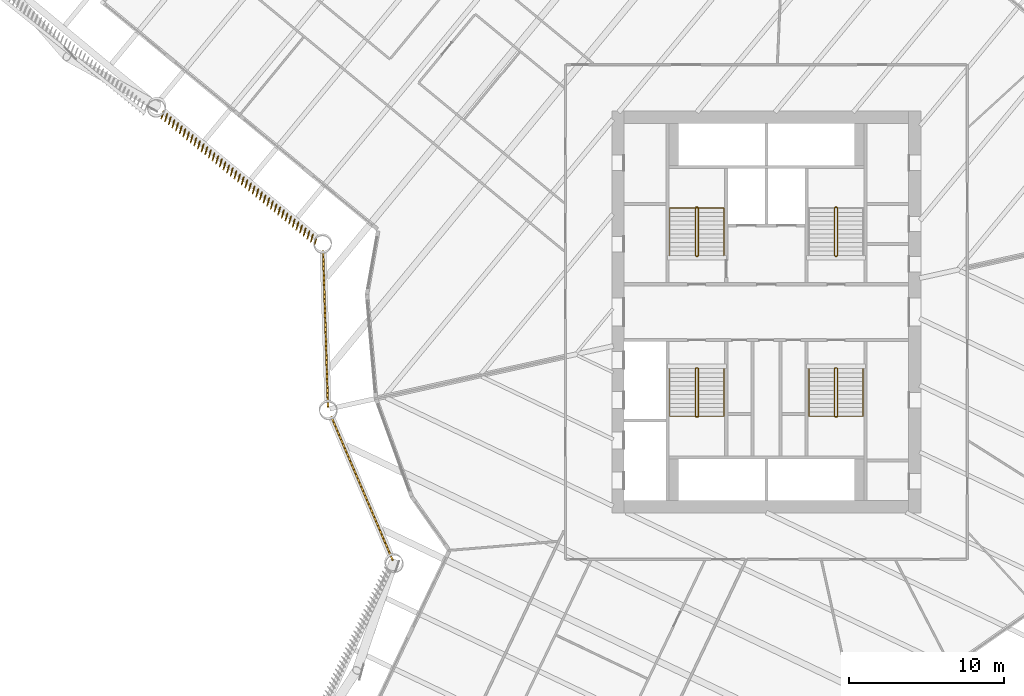
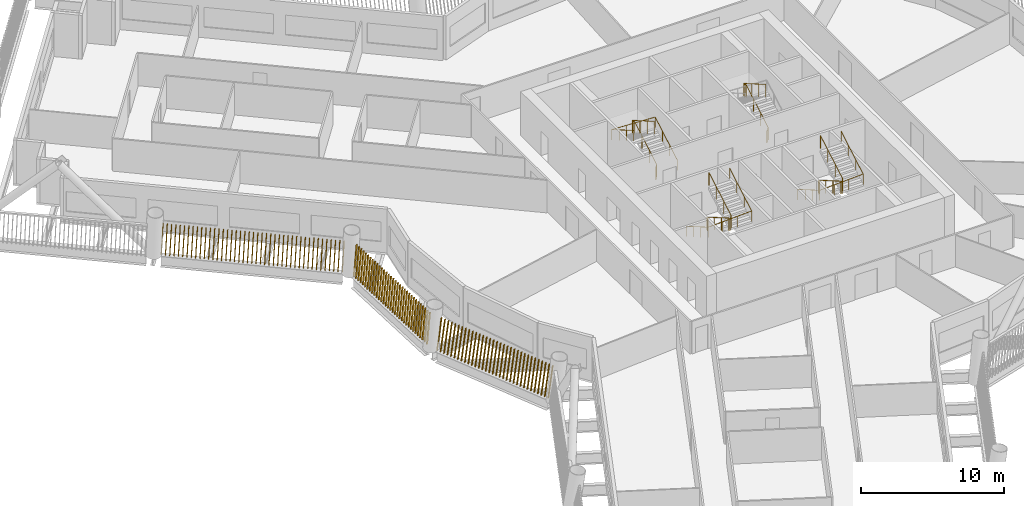
# One storey, part 18 of 22: 7 railings, 3 shading devices.
"""IFC4 building model written with IfcOpenShell, lengths in metres."""

from ifc_helpers import new_model, si_unit, direction, frame, frame_2d, origin, origin_2d, place, context, subcontext, project, spatial, rectangle, circle, composite_profile, extrude, material, type_object, element, save


model = new_model("IFC4")

# Units and contexts
model_context = context("Model", 3, precision=1e-05, world=origin(), true_north=direction((0.0, 1.0)))
body_context = subcontext(model_context, "Body", "Model", "MODEL_VIEW")
ifc_project = project(units=[si_unit("LENGTHUNIT", "METRE"), si_unit("AREAUNIT", "SQUARE_METRE"), si_unit("VOLUMEUNIT", "CUBIC_METRE"), si_unit("PLANEANGLEUNIT", "RADIAN"), si_unit("MASSUNIT", "GRAM", prefix="KILO")], contexts=[model_context])

# Site, building, storey
site_placement = place(None, origin())
site = spatial("IfcSite", under=ifc_project, at=site_placement, CompositionType="ELEMENT")
building_placement = place(site_placement, origin())
building = spatial("IfcBuilding", under=site, at=building_placement, Name="Tarsis Ring Headquarters", CompositionType="ELEMENT")
storey_placement = place(building_placement, frame((0.0, 0.0, 108.39990234375)))
storey = spatial("IfcBuildingStorey", under=building, at=storey_placement, Name="L24", CompositionType="ELEMENT", Elevation=108.39990234375)

# Railings
ifc_material_1 = material(Name="Steel S355", Category="steel")
railing_type_1 = type_object("IfcRailingType", Name="Core stair guard 1100", PredefinedType="GUARDRAIL", material=ifc_material_1)
railing_1_placement = place(storey_placement, frame((-4.5400390625, 3.610107421875, 0.0)))
element("IfcRailing", 1, at=railing_1_placement, inside=storey, type_object=railing_type_1, Name="L24 ST1 stair guard 1", PredefinedType="GUARDRAIL", context=body_context, shape_type="SweptSolid", body=[
    extrude(circle(Radius=0.02392578125, at=origin_2d()), frame((0.0, 0.0, 1.076171875), z_axis=(1.0, 0.0, 0.0), x_axis=(0.0, 1.0, 0.0)), (0.0, 0.0, 1.0), 0.080078125),
    extrude(circle(Radius=0.02392578125, at=origin_2d()), frame((0.080078125, 0.0, 1.076171875), z_axis=(0.282336740067, 0.280959487676, 0.917250092119), x_axis=(-0.705375805398, 0.708833529934, 0.0)), (0.0, 0.0, 1.0), 0.17724609375),
    extrude(circle(Radius=0.02392578125, at=origin_2d()), frame((0.130126953125, 0.0498046875, 1.23876953125), z_axis=(0.0, 0.864890721111, 0.501960198159), x_axis=(-1.0, 0.0, 0.0)), (0.0, 0.0, 1.0), 3.561279296875),
    extrude(circle(Radius=0.02392578125, at=origin_2d()), frame((0.130126953125, 3.1298828125, 3.0263671875), z_axis=(-0.707106781187, 0.707106781187, 0.0), x_axis=(-0.707106781187, -0.707106781187, 0.0)), (0.0, 0.0, 1.0), 0.07080078125),
    extrude(circle(Radius=0.02392578125, at=origin_2d()), frame((0.080078125, 3.179931640625, 3.0263671875), z_axis=(-1.0, 0.0, 0.0), x_axis=(0.0, -1.0, 0.0)), (0.0, 0.0, 1.0), 0.080078125),
    extrude(circle(Radius=0.02392578125, at=origin_2d()), frame((0.0, 3.179931640625, 3.0263671875), z_axis=(-0.282583949758, -0.282583949758, 0.916674763849), x_axis=(0.707106781187, -0.707106781187, 0.0)), (0.0, 0.0, 1.0), 0.177001953125),
    extrude(circle(Radius=0.02392578125, at=origin_2d()), frame((-0.050048828125, 3.1298828125, 3.1884765625), z_axis=(0.0, -0.864890721111, 0.501960198159), x_axis=(1.0, 0.0, 0.0)), (0.0, 0.0, 1.0), 3.561279296875),
    extrude(circle(Radius=0.02099609375, at=origin_2d()), origin(), (0.0, 0.0, 1.0), 1.052001953125),
    extrude(circle(Radius=0.02099609375, at=origin_2d()), frame((0.080078125, 0.0, 0.0)), (0.0, 0.0, 1.0), 1.052001953125),
    extrude(circle(Radius=0.02099609375, at=origin_2d()), frame((0.130126953125, 0.0498046875, 0.16259765625)), (0.0, 0.0, 1.0), 1.052001953125),
    extrude(circle(Radius=0.02099609375, at=origin_2d()), frame((0.130126953125, 1.076416015625, 0.758544921875)), (0.0, 0.0, 1.0), 1.052001953125),
    extrude(circle(Radius=0.02099609375, at=origin_2d()), frame((0.130126953125, 2.103271484375, 1.354248046875)), (0.0, 0.0, 1.0), 1.052001953125),
    extrude(circle(Radius=0.02099609375, at=origin_2d()), frame((0.130126953125, 3.1298828125, 1.9501953125)), (0.0, 0.0, 1.0), 1.052001953125),
    extrude(circle(Radius=0.02099609375, at=origin_2d()), frame((0.080078125, 3.179931640625, 1.9501953125)), (0.0, 0.0, 1.0), 1.052001953125),
    extrude(circle(Radius=0.02099609375, at=origin_2d()), frame((0.0, 3.179931640625, 1.9501953125)), (0.0, 0.0, 1.0), 1.052001953125),
    extrude(circle(Radius=0.02099609375, at=origin_2d()), frame((-0.050048828125, 3.1298828125, 2.112548828125)), (0.0, 0.0, 1.0), 1.052001953125),
    extrude(circle(Radius=0.02099609375, at=origin_2d()), frame((-0.050048828125, 2.103271484375, 2.70849609375)), (0.0, 0.0, 1.0), 1.052001953125),
    extrude(circle(Radius=0.02099609375, at=origin_2d()), frame((-0.050048828125, 1.076416015625, 3.30419921875)), (0.0, 0.0, 1.0), 1.052001953125),
    extrude(circle(Radius=0.02099609375, at=origin_2d()), frame((-0.050048828125, 0.0498046875, 3.900146484375)), (0.0, 0.0, 1.0), 1.052001953125),
])
railing_2_placement = place(storey_placement, frame((4.4599609375, 3.610107421875, 0.0)))
element("IfcRailing", 2, at=railing_2_placement, inside=storey, type_object=railing_type_1, Name="L24 ST2 stair guard 1", PredefinedType="GUARDRAIL", context=body_context, shape_type="SweptSolid", body=[
    extrude(circle(Radius=0.02392578125, at=origin_2d()), frame((0.0, 0.0, 1.076171875), z_axis=(1.0, 0.0, 0.0), x_axis=(0.0, 1.0, 0.0)), (0.0, 0.0, 1.0), 0.080078125),
    extrude(circle(Radius=0.02392578125, at=origin_2d()), frame((0.080078125, 0.0, 1.076171875), z_axis=(0.282336740067, 0.280959487676, 0.917250092119), x_axis=(-0.705375805398, 0.708833529934, 0.0)), (0.0, 0.0, 1.0), 0.17724609375),
    extrude(circle(Radius=0.02392578125, at=origin_2d()), frame((0.130126953125, 0.0498046875, 1.23876953125), z_axis=(0.0, 0.864890721111, 0.501960198159), x_axis=(-1.0, 0.0, 0.0)), (0.0, 0.0, 1.0), 3.561279296875),
    extrude(circle(Radius=0.02392578125, at=origin_2d()), frame((0.130126953125, 3.1298828125, 3.0263671875), z_axis=(-0.707106781187, 0.707106781187, 0.0), x_axis=(-0.707106781187, -0.707106781187, 0.0)), (0.0, 0.0, 1.0), 0.07080078125),
    extrude(circle(Radius=0.02392578125, at=origin_2d()), frame((0.080078125, 3.179931640625, 3.0263671875), z_axis=(-1.0, 0.0, 0.0), x_axis=(0.0, -1.0, 0.0)), (0.0, 0.0, 1.0), 0.080078125),
    extrude(circle(Radius=0.02392578125, at=origin_2d()), frame((0.0, 3.179931640625, 3.0263671875), z_axis=(-0.282583949758, -0.282583949758, 0.916674763849), x_axis=(0.707106781187, -0.707106781187, 0.0)), (0.0, 0.0, 1.0), 0.177001953125),
    extrude(circle(Radius=0.02392578125, at=origin_2d()), frame((-0.050048828125, 3.1298828125, 3.1884765625), z_axis=(0.0, -0.864890721111, 0.501960198159), x_axis=(1.0, 0.0, 0.0)), (0.0, 0.0, 1.0), 3.561279296875),
    extrude(circle(Radius=0.02099609375, at=origin_2d()), origin(), (0.0, 0.0, 1.0), 1.052001953125),
    extrude(circle(Radius=0.02099609375, at=origin_2d()), frame((0.080078125, 0.0, 0.0)), (0.0, 0.0, 1.0), 1.052001953125),
    extrude(circle(Radius=0.02099609375, at=origin_2d()), frame((0.130126953125, 0.0498046875, 0.16259765625)), (0.0, 0.0, 1.0), 1.052001953125),
    extrude(circle(Radius=0.02099609375, at=origin_2d()), frame((0.130126953125, 1.076416015625, 0.758544921875)), (0.0, 0.0, 1.0), 1.052001953125),
    extrude(circle(Radius=0.02099609375, at=origin_2d()), frame((0.130126953125, 2.103271484375, 1.354248046875)), (0.0, 0.0, 1.0), 1.052001953125),
    extrude(circle(Radius=0.02099609375, at=origin_2d()), frame((0.130126953125, 3.1298828125, 1.9501953125)), (0.0, 0.0, 1.0), 1.052001953125),
    extrude(circle(Radius=0.02099609375, at=origin_2d()), frame((0.080078125, 3.179931640625, 1.9501953125)), (0.0, 0.0, 1.0), 1.052001953125),
    extrude(circle(Radius=0.02099609375, at=origin_2d()), frame((0.0, 3.179931640625, 1.9501953125)), (0.0, 0.0, 1.0), 1.052001953125),
    extrude(circle(Radius=0.02099609375, at=origin_2d()), frame((-0.050048828125, 3.1298828125, 2.112548828125)), (0.0, 0.0, 1.0), 1.052001953125),
    extrude(circle(Radius=0.02099609375, at=origin_2d()), frame((-0.050048828125, 2.103271484375, 2.70849609375)), (0.0, 0.0, 1.0), 1.052001953125),
    extrude(circle(Radius=0.02099609375, at=origin_2d()), frame((-0.050048828125, 1.076416015625, 3.30419921875)), (0.0, 0.0, 1.0), 1.052001953125),
    extrude(circle(Radius=0.02099609375, at=origin_2d()), frame((-0.050048828125, 0.0498046875, 3.900146484375)), (0.0, 0.0, 1.0), 1.052001953125),
])
railing_3_placement = place(storey_placement, frame((-4.4599609375, -3.610107421875, 0.0)))
element("IfcRailing", 3, at=railing_3_placement, inside=storey, type_object=railing_type_1, Name="L24 ST3 stair guard 1", PredefinedType="GUARDRAIL", context=body_context, shape_type="SweptSolid", body=[
    extrude(circle(Radius=0.02392578125, at=origin_2d()), frame((0.0, 0.0, 1.076171875), z_axis=(-1.0, 0.0, 0.0), x_axis=(0.0, -1.0, 0.0)), (0.0, 0.0, 1.0), 0.080078125),
    extrude(circle(Radius=0.02392578125, at=origin_2d()), frame((-0.080078125, 0.0, 1.076171875), z_axis=(-0.282336740067, -0.280959487676, 0.917250092119), x_axis=(0.705375805398, -0.708833529934, 0.0)), (0.0, 0.0, 1.0), 0.17724609375),
    extrude(circle(Radius=0.02392578125, at=origin_2d()), frame((-0.130126953125, -0.0498046875, 1.23876953125), z_axis=(0.0, -0.864890721111, 0.501960198159), x_axis=(1.0, 0.0, 0.0)), (0.0, 0.0, 1.0), 3.561279296875),
    extrude(circle(Radius=0.02392578125, at=origin_2d()), frame((-0.130126953125, -3.1298828125, 3.0263671875), z_axis=(0.707106781187, -0.707106781187, 0.0), x_axis=(0.707106781187, 0.707106781187, 0.0)), (0.0, 0.0, 1.0), 0.07080078125),
    extrude(circle(Radius=0.02392578125, at=origin_2d()), frame((-0.080078125, -3.179931640625, 3.0263671875), z_axis=(1.0, 0.0, 0.0), x_axis=(0.0, 1.0, 0.0)), (0.0, 0.0, 1.0), 0.080078125),
    extrude(circle(Radius=0.02392578125, at=origin_2d()), frame((0.0, -3.179931640625, 3.0263671875), z_axis=(0.282583949758, 0.282583949758, 0.916674763849), x_axis=(-0.707106781187, 0.707106781187, 0.0)), (0.0, 0.0, 1.0), 0.177001953125),
    extrude(circle(Radius=0.02392578125, at=origin_2d()), frame((0.050048828125, -3.1298828125, 3.1884765625), z_axis=(0.0, 0.864890721111, 0.501960198159), x_axis=(-1.0, 0.0, 0.0)), (0.0, 0.0, 1.0), 3.561279296875),
    extrude(circle(Radius=0.02099609375, at=origin_2d()), origin(), (0.0, 0.0, 1.0), 1.052001953125),
    extrude(circle(Radius=0.02099609375, at=origin_2d()), frame((-0.080078125, 0.0, 0.0)), (0.0, 0.0, 1.0), 1.052001953125),
    extrude(circle(Radius=0.02099609375, at=origin_2d()), frame((-0.130126953125, -0.0498046875, 0.16259765625)), (0.0, 0.0, 1.0), 1.052001953125),
    extrude(circle(Radius=0.02099609375, at=origin_2d()), frame((-0.130126953125, -1.076416015625, 0.758544921875)), (0.0, 0.0, 1.0), 1.052001953125),
    extrude(circle(Radius=0.02099609375, at=origin_2d()), frame((-0.130126953125, -2.103271484375, 1.354248046875)), (0.0, 0.0, 1.0), 1.052001953125),
    extrude(circle(Radius=0.02099609375, at=origin_2d()), frame((-0.130126953125, -3.1298828125, 1.9501953125)), (0.0, 0.0, 1.0), 1.052001953125),
    extrude(circle(Radius=0.02099609375, at=origin_2d()), frame((-0.080078125, -3.179931640625, 1.9501953125)), (0.0, 0.0, 1.0), 1.052001953125),
    extrude(circle(Radius=0.02099609375, at=origin_2d()), frame((0.0, -3.179931640625, 1.9501953125)), (0.0, 0.0, 1.0), 1.052001953125),
    extrude(circle(Radius=0.02099609375, at=origin_2d()), frame((0.050048828125, -3.1298828125, 2.112548828125)), (0.0, 0.0, 1.0), 1.052001953125),
    extrude(circle(Radius=0.02099609375, at=origin_2d()), frame((0.050048828125, -2.103271484375, 2.70849609375)), (0.0, 0.0, 1.0), 1.052001953125),
    extrude(circle(Radius=0.02099609375, at=origin_2d()), frame((0.050048828125, -1.076416015625, 3.30419921875)), (0.0, 0.0, 1.0), 1.052001953125),
    extrude(circle(Radius=0.02099609375, at=origin_2d()), frame((0.050048828125, -0.0498046875, 3.900146484375)), (0.0, 0.0, 1.0), 1.052001953125),
])
railing_4_placement = place(storey_placement, frame((4.5400390625, -3.610107421875, 0.0)))
element("IfcRailing", 4, at=railing_4_placement, inside=storey, type_object=railing_type_1, Name="L24 ST4 stair guard 1", PredefinedType="GUARDRAIL", context=body_context, shape_type="SweptSolid", body=[
    extrude(circle(Radius=0.02392578125, at=origin_2d()), frame((0.0, 0.0, 1.076171875), z_axis=(-1.0, 0.0, 0.0), x_axis=(0.0, -1.0, 0.0)), (0.0, 0.0, 1.0), 0.080078125),
    extrude(circle(Radius=0.02392578125, at=origin_2d()), frame((-0.080078125, 0.0, 1.076171875), z_axis=(-0.282336740067, -0.280959487676, 0.917250092119), x_axis=(0.705375805398, -0.708833529934, 0.0)), (0.0, 0.0, 1.0), 0.17724609375),
    extrude(circle(Radius=0.02392578125, at=origin_2d()), frame((-0.130126953125, -0.0498046875, 1.23876953125), z_axis=(0.0, -0.864890721111, 0.501960198159), x_axis=(1.0, 0.0, 0.0)), (0.0, 0.0, 1.0), 3.561279296875),
    extrude(circle(Radius=0.02392578125, at=origin_2d()), frame((-0.130126953125, -3.1298828125, 3.0263671875), z_axis=(0.707106781187, -0.707106781187, 0.0), x_axis=(0.707106781187, 0.707106781187, 0.0)), (0.0, 0.0, 1.0), 0.07080078125),
    extrude(circle(Radius=0.02392578125, at=origin_2d()), frame((-0.080078125, -3.179931640625, 3.0263671875), z_axis=(1.0, 0.0, 0.0), x_axis=(0.0, 1.0, 0.0)), (0.0, 0.0, 1.0), 0.080078125),
    extrude(circle(Radius=0.02392578125, at=origin_2d()), frame((0.0, -3.179931640625, 3.0263671875), z_axis=(0.282583949758, 0.282583949758, 0.916674763849), x_axis=(-0.707106781187, 0.707106781187, 0.0)), (0.0, 0.0, 1.0), 0.177001953125),
    extrude(circle(Radius=0.02392578125, at=origin_2d()), frame((0.050048828125, -3.1298828125, 3.1884765625), z_axis=(0.0, 0.864890721111, 0.501960198159), x_axis=(-1.0, 0.0, 0.0)), (0.0, 0.0, 1.0), 3.561279296875),
    extrude(circle(Radius=0.02099609375, at=origin_2d()), origin(), (0.0, 0.0, 1.0), 1.052001953125),
    extrude(circle(Radius=0.02099609375, at=origin_2d()), frame((-0.080078125, 0.0, 0.0)), (0.0, 0.0, 1.0), 1.052001953125),
    extrude(circle(Radius=0.02099609375, at=origin_2d()), frame((-0.130126953125, -0.0498046875, 0.16259765625)), (0.0, 0.0, 1.0), 1.052001953125),
    extrude(circle(Radius=0.02099609375, at=origin_2d()), frame((-0.130126953125, -1.076416015625, 0.758544921875)), (0.0, 0.0, 1.0), 1.052001953125),
    extrude(circle(Radius=0.02099609375, at=origin_2d()), frame((-0.130126953125, -2.103271484375, 1.354248046875)), (0.0, 0.0, 1.0), 1.052001953125),
    extrude(circle(Radius=0.02099609375, at=origin_2d()), frame((-0.130126953125, -3.1298828125, 1.9501953125)), (0.0, 0.0, 1.0), 1.052001953125),
    extrude(circle(Radius=0.02099609375, at=origin_2d()), frame((-0.080078125, -3.179931640625, 1.9501953125)), (0.0, 0.0, 1.0), 1.052001953125),
    extrude(circle(Radius=0.02099609375, at=origin_2d()), frame((0.0, -3.179931640625, 1.9501953125)), (0.0, 0.0, 1.0), 1.052001953125),
    extrude(circle(Radius=0.02099609375, at=origin_2d()), frame((0.050048828125, -3.1298828125, 2.112548828125)), (0.0, 0.0, 1.0), 1.052001953125),
    extrude(circle(Radius=0.02099609375, at=origin_2d()), frame((0.050048828125, -2.103271484375, 2.70849609375)), (0.0, 0.0, 1.0), 1.052001953125),
    extrude(circle(Radius=0.02099609375, at=origin_2d()), frame((0.050048828125, -1.076416015625, 3.30419921875)), (0.0, 0.0, 1.0), 1.052001953125),
    extrude(circle(Radius=0.02099609375, at=origin_2d()), frame((0.050048828125, -0.0498046875, 3.900146484375)), (0.0, 0.0, 1.0), 1.052001953125),
])
railing_type_2 = type_object("IfcRailingType", Name="Core stair handrail 900", PredefinedType="HANDRAIL", material=ifc_material_1)
railing_5_placement = place(storey_placement, frame((-2.75, 3.659912109375, 0.16259765625)))
element("IfcRailing", 5, at=railing_5_placement, inside=storey, type_object=railing_type_2, Name="L24 ST1 stair handrail 1", PredefinedType="HANDRAIL", context=body_context, shape_type="SweptSolid", body=[
    extrude(circle(Radius=0.02392578125, at=origin_2d()), frame((0.0, 0.0, 0.8759765625), z_axis=(0.0, 0.864890721111, 0.501960198159), x_axis=(-1.0, 0.0, 0.0)), (0.0, 0.0, 1.0), 3.561279296875),
    extrude(circle(Radius=0.02392578125, at=origin_2d()), frame((0.0, 3.080078125, 2.66357421875), z_axis=(-0.998925869279, 0.0, 0.04633689335), x_axis=(0.0, -1.0, 0.0)), (0.0, 0.0, 1.0), 3.503662109375),
    extrude(circle(Radius=0.02392578125, at=origin_2d()), frame((-3.5, 3.080078125, 2.82568359375), z_axis=(0.0, -0.864890721111, 0.501960198159), x_axis=(1.0, 0.0, 0.0)), (0.0, 0.0, 1.0), 3.561279296875),
    extrude(circle(Radius=0.02099609375, at=origin_2d()), origin(), (0.0, 0.0, 1.0), 0.851806640625),
    extrude(circle(Radius=0.02099609375, at=origin_2d()), frame((0.0, 1.026611328125, 0.595947265625)), (0.0, 0.0, 1.0), 0.851806640625),
    extrude(circle(Radius=0.02099609375, at=origin_2d()), frame((0.0, 2.053466796875, 1.191650390625)), (0.0, 0.0, 1.0), 0.851806640625),
    extrude(circle(Radius=0.02099609375, at=origin_2d()), frame((0.0, 3.080078125, 1.78759765625)), (0.0, 0.0, 1.0), 0.851806640625),
    extrude(circle(Radius=0.02099609375, at=origin_2d()), frame((-1.166748046875, 3.080078125, 1.841796875)), (0.0, 0.0, 1.0), 0.851806640625),
    extrude(circle(Radius=0.02099609375, at=origin_2d()), frame((-2.333251953125, 3.080078125, 1.895751953125)), (0.0, 0.0, 1.0), 0.851806640625),
    extrude(circle(Radius=0.02099609375, at=origin_2d()), frame((-3.5, 3.080078125, 1.949951171875)), (0.0, 0.0, 1.0), 0.851806640625),
    extrude(circle(Radius=0.02099609375, at=origin_2d()), frame((-3.5, 2.053466796875, 2.5458984375)), (0.0, 0.0, 1.0), 0.851806640625),
    extrude(circle(Radius=0.02099609375, at=origin_2d()), frame((-3.5, 1.026611328125, 3.1416015625)), (0.0, 0.0, 1.0), 0.851806640625),
    extrude(circle(Radius=0.02099609375, at=origin_2d()), frame((-3.5, 0.0, 3.737548828125)), (0.0, 0.0, 1.0), 0.851806640625),
])
railing_6_placement = place(storey_placement, frame((-6.25, -3.659912109375, 0.16259765625)))
element("IfcRailing", 6, at=railing_6_placement, inside=storey, type_object=railing_type_2, Name="L24 ST3 stair handrail 1", PredefinedType="HANDRAIL", context=body_context, shape_type="SweptSolid", body=[
    extrude(circle(Radius=0.02392578125, at=origin_2d()), frame((0.0, 0.0, 0.8759765625), z_axis=(0.0, -0.864890721111, 0.501960198159), x_axis=(1.0, 0.0, 0.0)), (0.0, 0.0, 1.0), 3.561279296875),
    extrude(circle(Radius=0.02392578125, at=origin_2d()), frame((0.0, -3.080078125, 2.66357421875), z_axis=(0.998925869279, 0.0, 0.04633689335), x_axis=(0.0, 1.0, 0.0)), (0.0, 0.0, 1.0), 3.503662109375),
    extrude(circle(Radius=0.02392578125, at=origin_2d()), frame((3.5, -3.080078125, 2.82568359375), z_axis=(0.0, 0.864890721111, 0.501960198159), x_axis=(-1.0, 0.0, 0.0)), (0.0, 0.0, 1.0), 3.561279296875),
    extrude(circle(Radius=0.02099609375, at=origin_2d()), origin(), (0.0, 0.0, 1.0), 0.851806640625),
    extrude(circle(Radius=0.02099609375, at=origin_2d()), frame((0.0, -1.026611328125, 0.595947265625)), (0.0, 0.0, 1.0), 0.851806640625),
    extrude(circle(Radius=0.02099609375, at=origin_2d()), frame((0.0, -2.053466796875, 1.191650390625)), (0.0, 0.0, 1.0), 0.851806640625),
    extrude(circle(Radius=0.02099609375, at=origin_2d()), frame((0.0, -3.080078125, 1.78759765625)), (0.0, 0.0, 1.0), 0.851806640625),
    extrude(circle(Radius=0.02099609375, at=origin_2d()), frame((1.166748046875, -3.080078125, 1.841796875)), (0.0, 0.0, 1.0), 0.851806640625),
    extrude(circle(Radius=0.02099609375, at=origin_2d()), frame((2.333251953125, -3.080078125, 1.895751953125)), (0.0, 0.0, 1.0), 0.851806640625),
    extrude(circle(Radius=0.02099609375, at=origin_2d()), frame((3.5, -3.080078125, 1.949951171875)), (0.0, 0.0, 1.0), 0.851806640625),
    extrude(circle(Radius=0.02099609375, at=origin_2d()), frame((3.5, -2.053466796875, 2.5458984375)), (0.0, 0.0, 1.0), 0.851806640625),
    extrude(circle(Radius=0.02099609375, at=origin_2d()), frame((3.5, -1.026611328125, 3.1416015625)), (0.0, 0.0, 1.0), 0.851806640625),
    extrude(circle(Radius=0.02099609375, at=origin_2d()), frame((3.5, 0.0, 3.737548828125)), (0.0, 0.0, 1.0), 0.851806640625),
])
railing_7_placement = place(storey_placement, frame((2.75, -3.659912109375, 0.16259765625)))
element("IfcRailing", 7, at=railing_7_placement, inside=storey, type_object=railing_type_2, Name="L24 ST4 stair handrail 1", PredefinedType="HANDRAIL", context=body_context, shape_type="SweptSolid", body=[
    extrude(circle(Radius=0.02392578125, at=origin_2d()), frame((0.0, 0.0, 0.8759765625), z_axis=(0.0, -0.864890721111, 0.501960198159), x_axis=(1.0, 0.0, 0.0)), (0.0, 0.0, 1.0), 3.561279296875),
    extrude(circle(Radius=0.02392578125, at=origin_2d()), frame((0.0, -3.080078125, 2.66357421875), z_axis=(0.998925869279, 0.0, 0.04633689335), x_axis=(0.0, 1.0, 0.0)), (0.0, 0.0, 1.0), 3.503662109375),
    extrude(circle(Radius=0.02392578125, at=origin_2d()), frame((3.5, -3.080078125, 2.82568359375), z_axis=(0.0, 0.864890721111, 0.501960198159), x_axis=(-1.0, 0.0, 0.0)), (0.0, 0.0, 1.0), 3.561279296875),
    extrude(circle(Radius=0.02099609375, at=origin_2d()), origin(), (0.0, 0.0, 1.0), 0.851806640625),
    extrude(circle(Radius=0.02099609375, at=origin_2d()), frame((0.0, -1.026611328125, 0.595947265625)), (0.0, 0.0, 1.0), 0.851806640625),
    extrude(circle(Radius=0.02099609375, at=origin_2d()), frame((0.0, -2.053466796875, 1.191650390625)), (0.0, 0.0, 1.0), 0.851806640625),
    extrude(circle(Radius=0.02099609375, at=origin_2d()), frame((0.0, -3.080078125, 1.78759765625)), (0.0, 0.0, 1.0), 0.851806640625),
    extrude(circle(Radius=0.02099609375, at=origin_2d()), frame((1.166748046875, -3.080078125, 1.841796875)), (0.0, 0.0, 1.0), 0.851806640625),
    extrude(circle(Radius=0.02099609375, at=origin_2d()), frame((2.333251953125, -3.080078125, 1.895751953125)), (0.0, 0.0, 1.0), 0.851806640625),
    extrude(circle(Radius=0.02099609375, at=origin_2d()), frame((3.5, -3.080078125, 1.949951171875)), (0.0, 0.0, 1.0), 0.851806640625),
    extrude(circle(Radius=0.02099609375, at=origin_2d()), frame((3.5, -2.053466796875, 2.5458984375)), (0.0, 0.0, 1.0), 0.851806640625),
    extrude(circle(Radius=0.02099609375, at=origin_2d()), frame((3.5, -1.026611328125, 3.1416015625)), (0.0, 0.0, 1.0), 0.851806640625),
    extrude(circle(Radius=0.02099609375, at=origin_2d()), frame((3.5, 0.0, 3.737548828125)), (0.0, 0.0, 1.0), 0.851806640625),
])

# Shading devices
ifc_material_2 = material(Name="Terracotta baguette", Category="masonry")
shading_device_type = type_object("IfcShadingDeviceType", Name="Terracotta baguette screen", PredefinedType="USERDEFINED", material=ifc_material_2)
shading_device_1_placement = place(storey_placement, frame((-28.16552734375, -6.737060546875, 0.0), z_axis=(0.0, 0.0, 1.0), x_axis=(0.393379138039, -0.919375390381, 0.0)))
element("IfcShadingDevice", 8, at=shading_device_1_placement, inside=storey, type_object=shading_device_type, Name="Baguette screen L24-00", ObjectType="Terracotta baguette screen", PredefinedType="USERDEFINED", context=body_context, shape_type="SweptSolid", body=[
    extrude(composite_profile([rectangle(XDim=0.06005859375, YDim=0.1201171875, at=frame_2d((0.030029296875, 0.0))), rectangle(XDim=0.06005859375, YDim=0.1201171875, at=frame_2d((0.33349609375, 0.0))), rectangle(XDim=0.06005859375, YDim=0.1201171875, at=frame_2d((0.636962890625, 0.0))), rectangle(XDim=0.06005859375, YDim=0.1201171875, at=frame_2d((0.9404296875, 0.0))), rectangle(XDim=0.06005859375, YDim=0.1201171875, at=frame_2d((1.243896484375, 0.0))), rectangle(XDim=0.06005859375, YDim=0.1201171875, at=frame_2d((1.54736328125, 0.0))), rectangle(XDim=0.06005859375, YDim=0.1201171875, at=frame_2d((1.85107421875, 0.0))), rectangle(XDim=0.06005859375, YDim=0.1201171875, at=frame_2d((2.154541015625, 0.0))), rectangle(XDim=0.06005859375, YDim=0.1201171875, at=frame_2d((2.4580078125, 0.0))), rectangle(XDim=0.06005859375, YDim=0.1201171875, at=frame_2d((2.761474609375, 0.0))), rectangle(XDim=0.06005859375, YDim=0.1201171875, at=frame_2d((3.06494140625, 0.0))), rectangle(XDim=0.06005859375, YDim=0.1201171875, at=frame_2d((3.368408203125, 0.0))), rectangle(XDim=0.06005859375, YDim=0.1201171875, at=frame_2d((3.671875, 0.0))), rectangle(XDim=0.06005859375, YDim=0.1201171875, at=frame_2d((3.975341796875, 0.0))), rectangle(XDim=0.06005859375, YDim=0.1201171875, at=frame_2d((4.27880859375, 0.0))), rectangle(XDim=0.06005859375, YDim=0.1201171875, at=frame_2d((4.582275390625, 0.0))), rectangle(XDim=0.06005859375, YDim=0.1201171875, at=frame_2d((4.8857421875, 0.0))), rectangle(XDim=0.06005859375, YDim=0.1201171875, at=frame_2d((5.189453125, 0.0))), rectangle(XDim=0.06005859375, YDim=0.1201171875, at=frame_2d((5.492919921875, 0.0))), rectangle(XDim=0.06005859375, YDim=0.1201171875, at=frame_2d((5.79638671875, 0.0))), rectangle(XDim=0.06005859375, YDim=0.1201171875, at=frame_2d((6.099853515625, 0.0))), rectangle(XDim=0.06005859375, YDim=0.1201171875, at=frame_2d((6.4033203125, 0.0))), rectangle(XDim=0.06005859375, YDim=0.1201171875, at=frame_2d((6.706787109375, 0.0))), rectangle(XDim=0.06005859375, YDim=0.1201171875, at=frame_2d((7.01025390625, 0.0))), rectangle(XDim=0.06005859375, YDim=0.1201171875, at=frame_2d((7.313720703125, 0.0))), rectangle(XDim=0.06005859375, YDim=0.1201171875, at=frame_2d((7.6171875, 0.0))), rectangle(XDim=0.06005859375, YDim=0.1201171875, at=frame_2d((7.920654296875, 0.0))), rectangle(XDim=0.06005859375, YDim=0.1201171875, at=frame_2d((8.224365234375, 0.0))), rectangle(XDim=0.06005859375, YDim=0.1201171875, at=frame_2d((8.52783203125, 0.0))), rectangle(XDim=0.06005859375, YDim=0.1201171875, at=frame_2d((8.831298828125, 0.0))), rectangle(XDim=0.06005859375, YDim=0.1201171875, at=frame_2d((9.134765625, 0.0))), rectangle(XDim=0.06005859375, YDim=0.1201171875, at=frame_2d((9.438232421875, 0.0))), rectangle(XDim=0.06005859375, YDim=0.1201171875, at=frame_2d((9.74169921875, 0.0)))]), origin(), (0.130481005049, 0.000888022911, 0.991450411638), 2.97802734375),
])
shading_device_2_placement = place(storey_placement, frame((-39.0380859375, 13.017578125, 0.0), z_axis=(0.0, 0.0, 1.0), x_axis=(0.771415595966, -0.636346434045, 0.0)))
element("IfcShadingDevice", 9, at=shading_device_2_placement, inside=storey, type_object=shading_device_type, Name="Baguette screen L24-20", ObjectType="Terracotta baguette screen", PredefinedType="USERDEFINED", context=body_context, shape_type="SweptSolid", body=[
    extrude(composite_profile([rectangle(XDim=0.06005859375, YDim=0.1201171875, at=frame_2d((0.030029296875, 0.0))), rectangle(XDim=0.06005859375, YDim=0.1201171875, at=frame_2d((0.335693359375, 0.0))), rectangle(XDim=0.06005859375, YDim=0.1201171875, at=frame_2d((0.6416015625, 0.0))), rectangle(XDim=0.06005859375, YDim=0.1201171875, at=frame_2d((0.947265625, 0.0))), rectangle(XDim=0.06005859375, YDim=0.1201171875, at=frame_2d((1.253173828125, 0.0))), rectangle(XDim=0.06005859375, YDim=0.1201171875, at=frame_2d((1.558837890625, 0.0))), rectangle(XDim=0.06005859375, YDim=0.1201171875, at=frame_2d((1.864501953125, 0.0))), rectangle(XDim=0.06005859375, YDim=0.1201171875, at=frame_2d((2.17041015625, 0.0))), rectangle(XDim=0.06005859375, YDim=0.1201171875, at=frame_2d((2.47607421875, 0.0))), rectangle(XDim=0.06005859375, YDim=0.1201171875, at=frame_2d((2.781982421875, 0.0))), rectangle(XDim=0.06005859375, YDim=0.1201171875, at=frame_2d((3.087646484375, 0.0))), rectangle(XDim=0.06005859375, YDim=0.1201171875, at=frame_2d((3.393310546875, 0.0))), rectangle(XDim=0.06005859375, YDim=0.1201171875, at=frame_2d((3.69921875, 0.0))), rectangle(XDim=0.06005859375, YDim=0.1201171875, at=frame_2d((4.0048828125, 0.0))), rectangle(XDim=0.06005859375, YDim=0.1201171875, at=frame_2d((4.310791015625, 0.0))), rectangle(XDim=0.06005859375, YDim=0.1201171875, at=frame_2d((4.616455078125, 0.0))), rectangle(XDim=0.06005859375, YDim=0.1201171875, at=frame_2d((4.922119140625, 0.0))), rectangle(XDim=0.06005859375, YDim=0.1201171875, at=frame_2d((5.22802734375, 0.0))), rectangle(XDim=0.06005859375, YDim=0.1201171875, at=frame_2d((5.53369140625, 0.0))), rectangle(XDim=0.06005859375, YDim=0.1201171875, at=frame_2d((5.839599609375, 0.0))), rectangle(XDim=0.06005859375, YDim=0.1201171875, at=frame_2d((6.145263671875, 0.0))), rectangle(XDim=0.06005859375, YDim=0.1201171875, at=frame_2d((6.451171875, 0.0))), rectangle(XDim=0.06005859375, YDim=0.1201171875, at=frame_2d((6.7568359375, 0.0))), rectangle(XDim=0.06005859375, YDim=0.1201171875, at=frame_2d((7.0625, 0.0))), rectangle(XDim=0.06005859375, YDim=0.1201171875, at=frame_2d((7.368408203125, 0.0))), rectangle(XDim=0.06005859375, YDim=0.1201171875, at=frame_2d((7.674072265625, 0.0))), rectangle(XDim=0.06005859375, YDim=0.1201171875, at=frame_2d((7.97998046875, 0.0))), rectangle(XDim=0.06005859375, YDim=0.1201171875, at=frame_2d((8.28564453125, 0.0))), rectangle(XDim=0.06005859375, YDim=0.1201171875, at=frame_2d((8.59130859375, 0.0))), rectangle(XDim=0.06005859375, YDim=0.1201171875, at=frame_2d((8.897216796875, 0.0))), rectangle(XDim=0.06005859375, YDim=0.1201171875, at=frame_2d((9.202880859375, 0.0))), rectangle(XDim=0.06005859375, YDim=0.1201171875, at=frame_2d((9.5087890625, 0.0))), rectangle(XDim=0.06005859375, YDim=0.1201171875, at=frame_2d((9.814453125, 0.0))), rectangle(XDim=0.06005859375, YDim=0.1201171875, at=frame_2d((10.1201171875, 0.0))), rectangle(XDim=0.06005859375, YDim=0.1201171875, at=frame_2d((10.426025390625, 0.0))), rectangle(XDim=0.06005859375, YDim=0.1201171875, at=frame_2d((10.731689453125, 0.0))), rectangle(XDim=0.06005859375, YDim=0.1201171875, at=frame_2d((11.03759765625, 0.0))), rectangle(XDim=0.06005859375, YDim=0.1201171875, at=frame_2d((11.34326171875, 0.0))), rectangle(XDim=0.06005859375, YDim=0.1201171875, at=frame_2d((11.64892578125, 0.0))), rectangle(XDim=0.06005859375, YDim=0.1201171875, at=frame_2d((11.954833984375, 0.0))), rectangle(XDim=0.06005859375, YDim=0.1201171875, at=frame_2d((12.260498046875, 0.0))), rectangle(XDim=0.06005859375, YDim=0.1201171875, at=frame_2d((12.56640625, 0.0))), rectangle(XDim=0.06005859375, YDim=0.1201171875, at=frame_2d((12.8720703125, 0.0)))]), origin(), (0.068342593159, -0.144930501527, 0.987078740369), 2.9912109375),
])
shading_device_3_placement = place(storey_placement, frame((-28.683837890625, 3.9892578125, 0.0), z_axis=(0.0, 0.0, 1.0), x_axis=(0.031330418488, -0.999500312305, 0.0)))
element("IfcShadingDevice", 10, at=shading_device_3_placement, inside=storey, type_object=shading_device_type, Name="Baguette screen L24-21", ObjectType="Terracotta baguette screen", PredefinedType="USERDEFINED", context=body_context, shape_type="SweptSolid", body=[
    extrude(composite_profile([rectangle(XDim=0.06005859375, YDim=0.1201171875, at=frame_2d((0.030029296875, 0.0))), rectangle(XDim=0.06005859375, YDim=0.1201171875, at=frame_2d((0.33349609375, 0.0))), rectangle(XDim=0.06005859375, YDim=0.1201171875, at=frame_2d((0.636962890625, 0.0))), rectangle(XDim=0.06005859375, YDim=0.1201171875, at=frame_2d((0.9404296875, 0.0))), rectangle(XDim=0.06005859375, YDim=0.1201171875, at=frame_2d((1.243896484375, 0.0))), rectangle(XDim=0.06005859375, YDim=0.1201171875, at=frame_2d((1.54736328125, 0.0))), rectangle(XDim=0.06005859375, YDim=0.1201171875, at=frame_2d((1.85107421875, 0.0))), rectangle(XDim=0.06005859375, YDim=0.1201171875, at=frame_2d((2.154541015625, 0.0))), rectangle(XDim=0.06005859375, YDim=0.1201171875, at=frame_2d((2.4580078125, 0.0))), rectangle(XDim=0.06005859375, YDim=0.1201171875, at=frame_2d((2.761474609375, 0.0))), rectangle(XDim=0.06005859375, YDim=0.1201171875, at=frame_2d((3.06494140625, 0.0))), rectangle(XDim=0.06005859375, YDim=0.1201171875, at=frame_2d((3.368408203125, 0.0))), rectangle(XDim=0.06005859375, YDim=0.1201171875, at=frame_2d((3.671875, 0.0))), rectangle(XDim=0.06005859375, YDim=0.1201171875, at=frame_2d((3.975341796875, 0.0))), rectangle(XDim=0.06005859375, YDim=0.1201171875, at=frame_2d((4.27880859375, 0.0))), rectangle(XDim=0.06005859375, YDim=0.1201171875, at=frame_2d((4.582275390625, 0.0))), rectangle(XDim=0.06005859375, YDim=0.1201171875, at=frame_2d((4.8857421875, 0.0))), rectangle(XDim=0.06005859375, YDim=0.1201171875, at=frame_2d((5.189453125, 0.0))), rectangle(XDim=0.06005859375, YDim=0.1201171875, at=frame_2d((5.492919921875, 0.0))), rectangle(XDim=0.06005859375, YDim=0.1201171875, at=frame_2d((5.79638671875, 0.0))), rectangle(XDim=0.06005859375, YDim=0.1201171875, at=frame_2d((6.099853515625, 0.0))), rectangle(XDim=0.06005859375, YDim=0.1201171875, at=frame_2d((6.4033203125, 0.0))), rectangle(XDim=0.06005859375, YDim=0.1201171875, at=frame_2d((6.706787109375, 0.0))), rectangle(XDim=0.06005859375, YDim=0.1201171875, at=frame_2d((7.01025390625, 0.0))), rectangle(XDim=0.06005859375, YDim=0.1201171875, at=frame_2d((7.313720703125, 0.0))), rectangle(XDim=0.06005859375, YDim=0.1201171875, at=frame_2d((7.6171875, 0.0))), rectangle(XDim=0.06005859375, YDim=0.1201171875, at=frame_2d((7.920654296875, 0.0))), rectangle(XDim=0.06005859375, YDim=0.1201171875, at=frame_2d((8.224365234375, 0.0))), rectangle(XDim=0.06005859375, YDim=0.1201171875, at=frame_2d((8.52783203125, 0.0))), rectangle(XDim=0.06005859375, YDim=0.1201171875, at=frame_2d((8.831298828125, 0.0))), rectangle(XDim=0.06005859375, YDim=0.1201171875, at=frame_2d((9.134765625, 0.0))), rectangle(XDim=0.06005859375, YDim=0.1201171875, at=frame_2d((9.438232421875, 0.0))), rectangle(XDim=0.06005859375, YDim=0.1201171875, at=frame_2d((9.74169921875, 0.0)))]), origin(), (0.130479983965, 0.000887351362, 0.991450546619), 2.97802734375),
])

save(model, "model.ifc")
